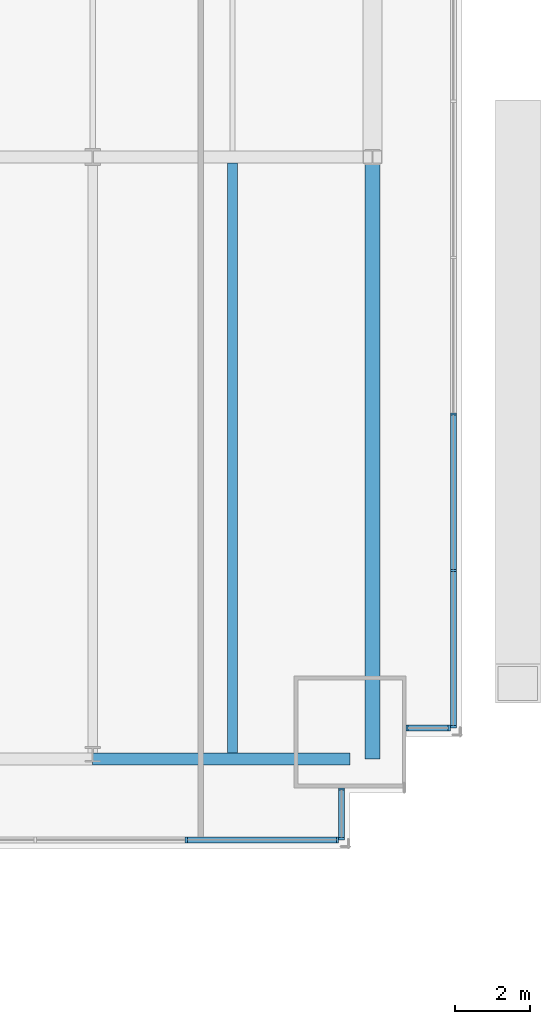
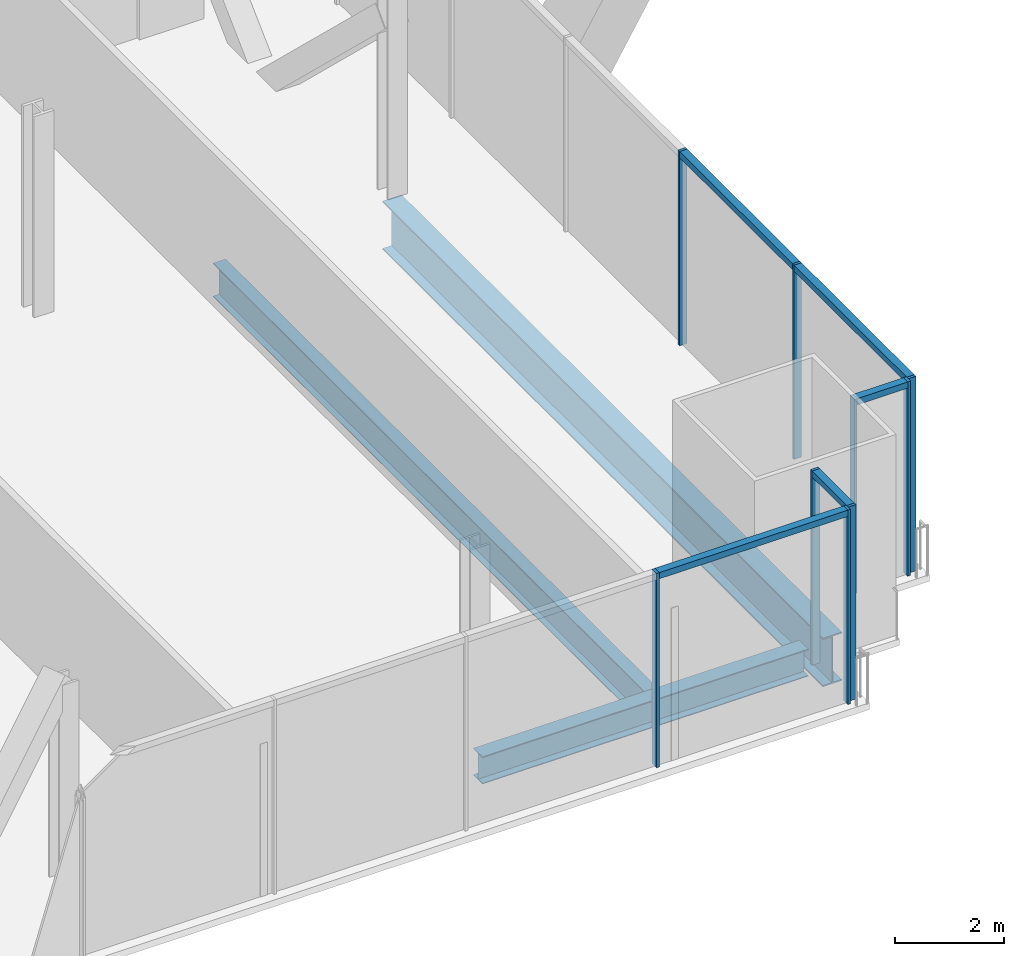
# One storey, part 13 of 23: 14 members, 3 beams, 4 elements without a shape of their own.
"""IFC4 building model written with IfcOpenShell, lengths in metres."""

from ifc_helpers import new_model, si_unit, direction, frame, origin, origin_2d, place, context, subcontext, project, spatial, rectangle, i_section, extrude, material, material_profile, profile_set, type_object, element, aggregate, save


model = new_model("IFC4")

# Units and contexts
model_context = context("Model", 3, precision=1e-05, world=origin(), true_north=direction((0.0, 1.0)))
body_context = subcontext(model_context, "Body", "Model", "MODEL_VIEW")
ifc_project = project(units=[si_unit("LENGTHUNIT", "METRE"), si_unit("AREAUNIT", "SQUARE_METRE"), si_unit("VOLUMEUNIT", "CUBIC_METRE"), si_unit("PLANEANGLEUNIT", "RADIAN"), si_unit("MASSUNIT", "GRAM", prefix="KILO")], contexts=[model_context])

# Site, building, storey
site_placement = place(None, origin())
site = spatial("IfcSite", under=ifc_project, at=site_placement, CompositionType="ELEMENT")
building_placement = place(site_placement, origin())
building = spatial("IfcBuilding", under=site, at=building_placement, Name="Bicima Exchange Tower", CompositionType="ELEMENT")
storey_placement = place(building_placement, frame((0.0, 0.0, 62.0)))
storey = spatial("IfcBuildingStorey", under=building, at=storey_placement, Name="L12", CompositionType="ELEMENT", Elevation=62.0)

# Curtain wall, members
ifc_material_1 = material(Name="Anodised bronze aluminium", Category="aluminium")
curtain_wall_type_1 = type_object("IfcCurtainWallType", Name="End face glass wall", PredefinedType="NOTDEFINED", material=ifc_material_1)
curtain_wall_1_placement = place(storey_placement, origin())
curtain_wall_1 = element("IfcCurtainWall", 1, at=curtain_wall_1_placement, inside=storey, type_object=curtain_wall_type_1, Name="End face glass wall L12 run 19", PredefinedType="NOTDEFINED")
ifc_material_profile_1 = material_profile(ifc_material_1, rectangle(XDim=0.159912109375, YDim=0.06005859375, at=origin_2d()))
ifc_profile_set_1 = profile_set([ifc_material_profile_1], Name="Anodised bronze aluminium")
member_type_1 = type_object("IfcMemberType", Name="End face glass wall mullion 60 x 160", PredefinedType="MULLION", material=ifc_profile_set_1)
member_1_placement = place(storey_placement, frame((35.77001953125, -37.27587890625, 0.0), z_axis=(0.0, 0.0, 1.0), x_axis=(-1.0, 0.0, 0.0)))
member_1 = element("IfcMember", 2, at=member_1_placement, type_object=member_type_1, Name="End face glass wall mullion 1", PredefinedType="MULLION", context=body_context, shape_type="SweptSolid", body=[
    extrude(rectangle(XDim=0.159912109375, YDim=0.06005859375, at=origin_2d()), origin(), (0.0, 0.0, 1.0), 4.35009765625),
])
member_2_placement = place(storey_placement, frame((35.77001953125, -33.081787109375, 0.0), z_axis=(0.0, 0.0, 1.0), x_axis=(-1.0, 0.0, 0.0)))
member_2 = element("IfcMember", 3, at=member_2_placement, type_object=member_type_1, Name="End face glass wall mullion 2", PredefinedType="MULLION", context=body_context, shape_type="SweptSolid", body=[
    extrude(rectangle(XDim=0.159912109375, YDim=0.06005859375, at=origin_2d()), origin(), (0.0, 0.0, 1.0), 4.35009765625),
])
member_3_placement = place(storey_placement, frame((35.77001953125, -28.88720703125, 0.0), z_axis=(0.0, 0.0, 1.0), x_axis=(-1.0, 0.0, 0.0)))
member_3 = element("IfcMember", 4, at=member_3_placement, type_object=member_type_1, Name="End face glass wall mullion 3", PredefinedType="MULLION", context=body_context, shape_type="SweptSolid", body=[
    extrude(rectangle(XDim=0.159912109375, YDim=0.06005859375, at=origin_2d()), origin(), (0.0, 0.0, 1.0), 4.35009765625),
])
ifc_material_profile_2 = material_profile(ifc_material_1, rectangle(XDim=0.159912109375, YDim=0.139892578125, at=origin_2d()))
ifc_profile_set_2 = profile_set([ifc_material_profile_2], Name="Anodised bronze aluminium")
member_type_2 = type_object("IfcMemberType", Name="End face glass wall transom 140 x 160", PredefinedType="USERDEFINED", material=ifc_profile_set_2)
member_4_placement = place(storey_placement, frame((35.77001953125, -37.24609375, 4.280029296875), z_axis=(0.0, 1.0, 0.0), x_axis=(-1.0, 0.0, 0.0)))
member_4 = element("IfcMember", 5, at=member_4_placement, type_object=member_type_2, Name="End face glass wall transom 1.1", ObjectType="TRANSOM", PredefinedType="USERDEFINED", context=body_context, shape_type="SweptSolid", body=[
    extrude(rectangle(XDim=0.159912109375, YDim=0.139892578125, at=origin_2d()), origin(), (0.0, 0.0, 1.0), 4.13427734375),
])
member_5_placement = place(storey_placement, frame((35.77001953125, -33.0517578125, 4.280029296875), z_axis=(0.0, 1.0, 0.0), x_axis=(-1.0, 0.0, 0.0)))
member_5 = element("IfcMember", 6, at=member_5_placement, type_object=member_type_2, Name="End face glass wall transom 2.1", ObjectType="TRANSOM", PredefinedType="USERDEFINED", context=body_context, shape_type="SweptSolid", body=[
    extrude(rectangle(XDim=0.159912109375, YDim=0.139892578125, at=origin_2d()), origin(), (0.0, 0.0, 1.0), 4.134521484375),
])
aggregate(curtain_wall_1, [member_1, member_2, member_3, member_4, member_5])

# Beams
ifc_material_2 = material(Name="Steel ASTM A992 Gr 50", Category="steel")
ifc_material_profile_3 = material_profile(ifc_material_2, i_section(OverallWidth=0.4013671875, OverallDepth=1.089599609375, WebThickness=0.01806640625, FlangeThickness=0.031005859375, at=origin_2d()))
ifc_profile_set_3 = profile_set([ifc_material_profile_3], Name="Steel ASTM A992 Gr 50")
beam_type_1 = type_object("IfcBeamType", Name="End girder W44x230", PredefinedType="BEAM", material=ifc_profile_set_3)
beam_1_placement = place(storey_placement, frame((33.60009765625, -22.0, -0.69482421875), z_axis=(0.0, -1.0, 0.0), x_axis=(1.0, 0.0, 0.0)))
element("IfcBeam", 7, at=beam_1_placement, inside=storey, type_object=beam_type_1, Name="End girder", PredefinedType="BEAM", context=body_context, shape_type="SweptSolid", body=[
    extrude(i_section(OverallWidth=0.4013671875, OverallDepth=1.089599609375, WebThickness=0.01806640625, FlangeThickness=0.031005859375, at=origin_2d()), origin(), (0.0, 0.0, 1.0), 16.135986328125),
])
ifc_material_profile_4 = material_profile(ifc_material_2, i_section(OverallWidth=0.2666015625, OverallDepth=0.75439453125, WebThickness=0.01318359375, FlangeThickness=0.01708984375, at=origin_2d()))
ifc_profile_set_4 = profile_set([ifc_material_profile_4], Name="Steel ASTM A992 Gr 50")
beam_type_2 = type_object("IfcBeamType", Name="Floor beam W30x99", PredefinedType="JOIST", material=ifc_profile_set_4)
beam_2_placement = place(storey_placement, frame((29.85009765625, -22.16259765625, -0.527099609375), z_axis=(0.0, -1.0, 0.0), x_axis=(1.0, 0.0, 0.0)))
element("IfcBeam", 8, at=beam_2_placement, inside=storey, type_object=beam_type_2, Name="Floor beam", PredefinedType="JOIST", context=body_context, shape_type="SweptSolid", body=[
    extrude(i_section(OverallWidth=0.2666015625, OverallDepth=0.75439453125, WebThickness=0.01318359375, FlangeThickness=0.01708984375, at=origin_2d()), origin(), (0.0, 0.0, 1.0), 15.810791015625),
])
ifc_material_profile_5 = material_profile(ifc_material_2, i_section(OverallWidth=0.3251953125, OverallDepth=0.612060546875, WebThickness=0.0126953125, FlangeThickness=0.01904296875, at=origin_2d()))
ifc_profile_set_5 = profile_set([ifc_material_profile_5], Name="Steel ASTM A992 Gr 50")
beam_type_3 = type_object("IfcBeamType", Name="Front girder W24x104", PredefinedType="BEAM", material=ifc_profile_set_5)
beam_3_placement = place(storey_placement, frame((26.10009765625, -38.135986328125, -0.4560546875), z_axis=(1.0, 0.0, 0.0), x_axis=(0.0, 1.0, 0.0)))
element("IfcBeam", 9, at=beam_3_placement, inside=storey, type_object=beam_type_3, Name="Front girder", PredefinedType="BEAM", context=body_context, shape_type="SweptSolid", body=[
    extrude(i_section(OverallWidth=0.3251953125, OverallDepth=0.612060546875, WebThickness=0.0126953125, FlangeThickness=0.01904296875, at=origin_2d()), origin(), (0.0, 0.0, 1.0), 6.89990234375),
])

# Curtain wall, members
curtain_wall_type_2 = type_object("IfcCurtainWallType", Name="Front glass wall", PredefinedType="NOTDEFINED", material=ifc_material_1)
curtain_wall_2_placement = place(storey_placement, origin())
curtain_wall_2 = element("IfcCurtainWall", 10, at=curtain_wall_2_placement, inside=storey, type_object=curtain_wall_type_2, Name="Front glass wall L12 run 16", PredefinedType="NOTDEFINED")
member_type_3 = type_object("IfcMemberType", Name="Front glass wall mullion 60 x 160", PredefinedType="MULLION", material=ifc_profile_set_1)
member_6_placement = place(storey_placement, frame((28.610595703125, -40.305908203125, 0.0), z_axis=(0.0, 0.0, 1.0), x_axis=(0.0, 1.0, 0.0)))
member_6 = element("IfcMember", 11, at=member_6_placement, type_object=member_type_3, Name="Front glass wall mullion 4", PredefinedType="MULLION", context=body_context, shape_type="SweptSolid", body=[
    extrude(rectangle(XDim=0.159912109375, YDim=0.06005859375, at=origin_2d()), origin(), (0.0, 0.0, 1.0), 4.35009765625),
])
member_7_placement = place(storey_placement, frame((32.659912109375, -40.305908203125, 0.0), z_axis=(0.0, 0.0, 1.0), x_axis=(0.0, 1.0, 0.0)))
member_7 = element("IfcMember", 12, at=member_7_placement, type_object=member_type_3, Name="Front glass wall mullion 5", PredefinedType="MULLION", context=body_context, shape_type="SweptSolid", body=[
    extrude(rectangle(XDim=0.159912109375, YDim=0.06005859375, at=origin_2d()), origin(), (0.0, 0.0, 1.0), 4.35009765625),
])

curtain_wall_3_placement = place(storey_placement, origin())
curtain_wall_3 = element("IfcCurtainWall", 13, at=curtain_wall_3_placement, inside=storey, type_object=curtain_wall_type_2, Name="Front glass wall L12 run 17", PredefinedType="NOTDEFINED")
member_8_placement = place(storey_placement, frame((32.77001953125, -40.27587890625, 0.0), z_axis=(0.0, 0.0, 1.0), x_axis=(-1.0, 0.0, 0.0)))
member_8 = element("IfcMember", 14, at=member_8_placement, type_object=member_type_3, Name="Front glass wall mullion 1", PredefinedType="MULLION", context=body_context, shape_type="SweptSolid", body=[
    extrude(rectangle(XDim=0.159912109375, YDim=0.06005859375, at=origin_2d()), origin(), (0.0, 0.0, 1.0), 4.35009765625),
])
member_9_placement = place(storey_placement, frame((32.77001953125, -38.944091796875, 0.0), z_axis=(0.0, 0.0, 1.0), x_axis=(-1.0, 0.0, 0.0)))
member_9 = element("IfcMember", 15, at=member_9_placement, type_object=member_type_3, Name="Front glass wall mullion 2", PredefinedType="MULLION", context=body_context, shape_type="SweptSolid", body=[
    extrude(rectangle(XDim=0.159912109375, YDim=0.06005859375, at=origin_2d()), origin(), (0.0, 0.0, 1.0), 4.35009765625),
])

curtain_wall_4_placement = place(storey_placement, origin())
curtain_wall_4 = element("IfcCurtainWall", 16, at=curtain_wall_4_placement, inside=storey, type_object=curtain_wall_type_2, Name="Front glass wall L12 run 18", PredefinedType="NOTDEFINED")
member_10_placement = place(storey_placement, frame((34.530029296875, -37.305908203125, 0.0), z_axis=(0.0, 0.0, 1.0), x_axis=(0.0, 1.0, 0.0)))
member_10 = element("IfcMember", 17, at=member_10_placement, type_object=member_type_3, Name="Front glass wall mullion 1", PredefinedType="MULLION", context=body_context, shape_type="SweptSolid", body=[
    extrude(rectangle(XDim=0.159912109375, YDim=0.06005859375, at=origin_2d()), origin(), (0.0, 0.0, 1.0), 4.35009765625),
])
member_11_placement = place(storey_placement, frame((35.659912109375, -37.305908203125, 0.0), z_axis=(0.0, 0.0, 1.0), x_axis=(0.0, 1.0, 0.0)))
member_11 = element("IfcMember", 18, at=member_11_placement, type_object=member_type_3, Name="Front glass wall mullion 2", PredefinedType="MULLION", context=body_context, shape_type="SweptSolid", body=[
    extrude(rectangle(XDim=0.159912109375, YDim=0.06005859375, at=origin_2d()), origin(), (0.0, 0.0, 1.0), 4.35009765625),
])

# Member
member_type_4 = type_object("IfcMemberType", Name="Front glass wall transom 140 x 160", PredefinedType="USERDEFINED", material=ifc_profile_set_2)
member_12_placement = place(storey_placement, frame((28.640380859375, -40.305908203125, 4.280029296875), z_axis=(1.0, 0.0, 0.0), x_axis=(0.0, 1.0, 0.0)))
member_12 = element("IfcMember", 19, at=member_12_placement, type_object=member_type_4, Name="Front glass wall transom 4.1", ObjectType="TRANSOM", PredefinedType="USERDEFINED", context=body_context, shape_type="SweptSolid", body=[
    extrude(rectangle(XDim=0.159912109375, YDim=0.139892578125, at=origin_2d()), origin(), (0.0, 0.0, 1.0), 3.989501953125),
])

aggregate(curtain_wall_2, [member_6, member_7, member_12])

member_13_placement = place(storey_placement, frame((32.77001953125, -40.24609375, 4.280029296875), z_axis=(0.0, 1.0, 0.0), x_axis=(-1.0, 0.0, 0.0)))
member_13 = element("IfcMember", 20, at=member_13_placement, type_object=member_type_4, Name="Front glass wall transom 1.1", ObjectType="TRANSOM", PredefinedType="USERDEFINED", context=body_context, shape_type="SweptSolid", body=[
    extrude(rectangle(XDim=0.159912109375, YDim=0.139892578125, at=origin_2d()), origin(), (0.0, 0.0, 1.0), 1.27197265625),
])

aggregate(curtain_wall_3, [member_8, member_9, member_13])

member_14_placement = place(storey_placement, frame((34.56005859375, -37.305908203125, 4.280029296875), z_axis=(1.0, 0.0, 0.0), x_axis=(0.0, 1.0, 0.0)))
member_14 = element("IfcMember", 21, at=member_14_placement, type_object=member_type_4, Name="Front glass wall transom 1.1", ObjectType="TRANSOM", PredefinedType="USERDEFINED", context=body_context, shape_type="SweptSolid", body=[
    extrude(rectangle(XDim=0.159912109375, YDim=0.139892578125, at=origin_2d()), origin(), (0.0, 0.0, 1.0), 1.06982421875),
])

aggregate(curtain_wall_4, [member_10, member_11, member_14])

save(model, "model.ifc")
